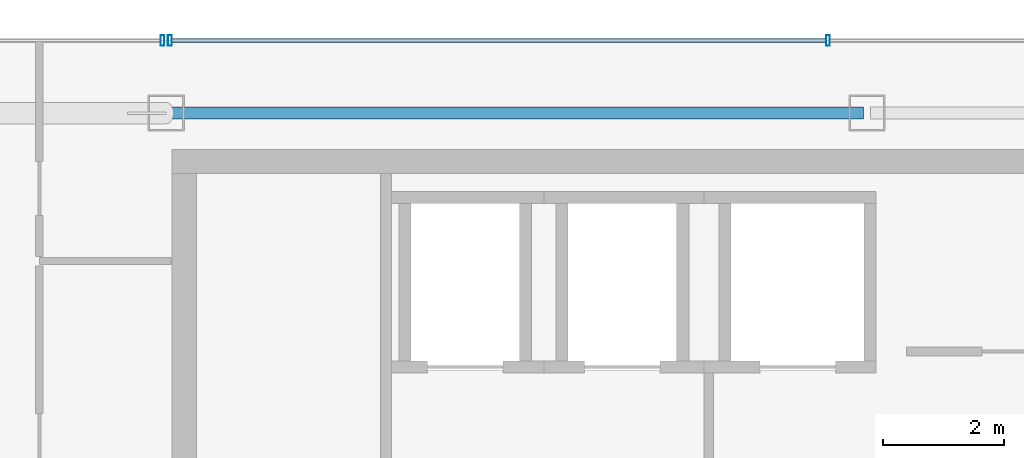
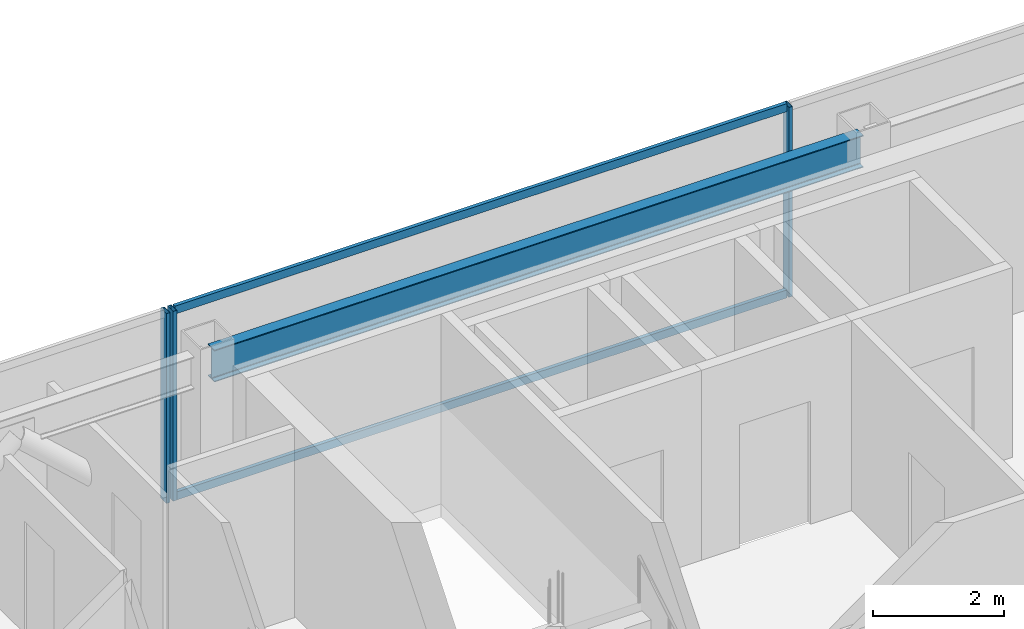
# One storey, part 9 of 23: 5 members, 1 beam, 2 elements without a shape of their own.
"""IFC4 building model written with IfcOpenShell, lengths in metres."""

from ifc_helpers import new_model, si_unit, direction, frame, origin, origin_2d, place, context, subcontext, project, spatial, hollow_rectangle, i_section, extrude, material, material_profile, profile_set, type_object, element, aggregate, save


model = new_model("IFC4")

# Units and contexts
model_context = context("Model", 3, precision=1e-05, world=origin(), true_north=direction((0.0, 1.0)))
body_context = subcontext(model_context, "Body", "Model", "MODEL_VIEW")
ifc_project = project(units=[si_unit("LENGTHUNIT", "METRE"), si_unit("AREAUNIT", "SQUARE_METRE"), si_unit("VOLUMEUNIT", "CUBIC_METRE"), si_unit("PLANEANGLEUNIT", "RADIAN"), si_unit("MASSUNIT", "GRAM", prefix="KILO")], contexts=[model_context])

# Site, building, storey
site_placement = place(None, origin())
site = spatial("IfcSite", under=ifc_project, at=site_placement, CompositionType="ELEMENT")
building_placement = place(site_placement, origin())
building = spatial("IfcBuilding", under=site, at=building_placement, Name="Saevonmaru Cultural Tower", CompositionType="ELEMENT")
storey_placement = place(building_placement, frame((0.0, 0.0, 280.0)))
storey = spatial("IfcBuildingStorey", under=building, at=storey_placement, Name="L66", CompositionType="ELEMENT", Elevation=280.0)

# Beam
ifc_material_1 = material(Name="Steel SM355", Category="steel")
ifc_material_profile_1 = material_profile(ifc_material_1, i_section(OverallWidth=0.199951171875, OverallDepth=0.60009765625, WebThickness=0.010986328125, FlangeThickness=0.01708984375, FilletRadius=0.02197265625, at=origin_2d()), Name="H-600x200x11x17")
ifc_profile_set_1 = profile_set([ifc_material_profile_1], Name="Steel SM355")
beam_type = type_object("IfcBeamType", Name="BM-SP-H600", PredefinedType="SPANDREL", material=ifc_profile_set_1)
beam_placement = place(storey_placement, frame((13.659912109375, 54.800048828125, 3.25), z_axis=(1.0, 0.0, 0.0), x_axis=(0.0, 1.0, 0.0)))
element("IfcBeam", 1, at=beam_placement, inside=storey, type_object=beam_type, Name="L66 North Spine Girder 2", PredefinedType="SPANDREL", context=body_context, shape_type="SweptSolid", body=[
    extrude(i_section(OverallWidth=0.199951171875, OverallDepth=0.60009765625, WebThickness=0.010986328125, FlangeThickness=0.01708984375, FilletRadius=0.02197265625, at=origin_2d()), origin(), (0.0, 0.0, 1.0), 11.47998046875),
])

# Curtain wall, members
ifc_material_2 = material(Name="Satin Bronze Anodised Aluminium", Category="aluminium")
curtain_wall_type = type_object("IfcCurtainWallType", Name="CW-TYP-B", PredefinedType="NOTDEFINED", material=ifc_material_2)
curtain_wall_1_placement = place(storey_placement, origin())
curtain_wall_1 = element("IfcCurtainWall", 2, at=curtain_wall_1_placement, inside=storey, type_object=curtain_wall_type, Name="L66 North Spine Unitised Curtain Wall E10B", PredefinedType="NOTDEFINED")
ifc_material_profile_2 = material_profile(ifc_material_2, hollow_rectangle(XDim=0.06494140625, YDim=0.179931640625, WallThickness=0.00390625, at=origin_2d()), Name="ALU-MULL-180x65x4")
ifc_profile_set_2 = profile_set([ifc_material_profile_2], Name="Satin Bronze Anodised Aluminium")
member_type_1 = type_object("IfcMemberType", Name="ML-CW-180x65", PredefinedType="MULLION", material=ifc_profile_set_2)
member_1_placement = place(storey_placement, frame((24.55322265625, 56.0, 0.0), z_axis=(0.0, 0.0, 1.0), x_axis=(-1.0, 0.0, 0.0)))
member_1 = element("IfcMember", 3, at=member_1_placement, type_object=member_type_1, Name="CW-TW-L66-E10B mullion 3", PredefinedType="MULLION", context=body_context, shape_type="SweptSolid", body=[
    extrude(hollow_rectangle(XDim=0.06494140625, YDim=0.179931640625, WallThickness=0.00390625, at=origin_2d()), origin(), (0.0, 0.0, 1.0), 3.550048828125),
])
member_2_placement = place(storey_placement, frame((13.659912109375, 56.0, 0.0), z_axis=(0.0, 0.0, 1.0), x_axis=(-1.0, 0.0, 0.0)))
member_2 = element("IfcMember", 4, at=member_2_placement, type_object=member_type_1, Name="CW-TW-L66-E10B mullion 4", PredefinedType="MULLION", context=body_context, shape_type="SweptSolid", body=[
    extrude(hollow_rectangle(XDim=0.06494140625, YDim=0.179931640625, WallThickness=0.00390625, at=origin_2d()), origin(), (0.0, 0.0, 1.0), 3.550048828125),
])

# Curtain wall, member
curtain_wall_2_placement = place(storey_placement, origin())
curtain_wall_2 = element("IfcCurtainWall", 5, at=curtain_wall_2_placement, inside=storey, type_object=curtain_wall_type, Name="L66 West Braced Bay Spandrel Curtain Wall E10C", PredefinedType="NOTDEFINED")
member_3_placement = place(storey_placement, frame((13.5400390625, 56.0, 0.0), z_axis=(0.0, 0.0, 1.0), x_axis=(-1.0, 0.0, 0.0)))
member_3 = element("IfcMember", 6, at=member_3_placement, type_object=member_type_1, Name="CW-TW-L66-E10C mullion 1", PredefinedType="MULLION", context=body_context, shape_type="SweptSolid", body=[
    extrude(hollow_rectangle(XDim=0.06494140625, YDim=0.179931640625, WallThickness=0.00390625, at=origin_2d()), origin(), (0.0, 0.0, 1.0), 3.550048828125),
])
aggregate(curtain_wall_2, [member_3])

# Member
ifc_material_profile_3 = material_profile(ifc_material_2, hollow_rectangle(XDim=0.06494140625, YDim=0.14990234375, WallThickness=0.00390625, at=origin_2d()), Name="ALU-TRAN-150x65x4")
ifc_profile_set_3 = profile_set([ifc_material_profile_3], Name="Satin Bronze Anodised Aluminium")
member_type_2 = type_object("IfcMemberType", Name="TR-CW-150x65", PredefinedType="USERDEFINED", material=ifc_profile_set_3)
member_4_placement = place(storey_placement, frame((24.520751953125, 56.0, 0.032470703125), z_axis=(-1.0, 0.0, 0.0), x_axis=(0.0, -1.0, 0.0)))
member_4 = element("IfcMember", 7, at=member_4_placement, type_object=member_type_2, Name="CW-TW-L66-E10B transom 3.1", ObjectType="TRANSOM", PredefinedType="USERDEFINED", context=body_context, shape_type="SweptSolid", body=[
    extrude(hollow_rectangle(XDim=0.06494140625, YDim=0.14990234375, WallThickness=0.00390625, at=origin_2d()), origin(), (0.0, 0.0, 1.0), 10.828369140625),
])

member_5_placement = place(storey_placement, frame((24.520751953125, 56.0, 3.517578125), z_axis=(-1.0, 0.0, 0.0), x_axis=(0.0, -1.0, 0.0)))
member_5 = element("IfcMember", 8, at=member_5_placement, type_object=member_type_2, Name="CW-TW-L66-E10B transom 3.2", ObjectType="TRANSOM", PredefinedType="USERDEFINED", context=body_context, shape_type="SweptSolid", body=[
    extrude(hollow_rectangle(XDim=0.06494140625, YDim=0.14990234375, WallThickness=0.00390625, at=origin_2d()), origin(), (0.0, 0.0, 1.0), 10.828369140625),
])

aggregate(curtain_wall_1, [member_1, member_2, member_4, member_5])

save(model, "model.ifc")
